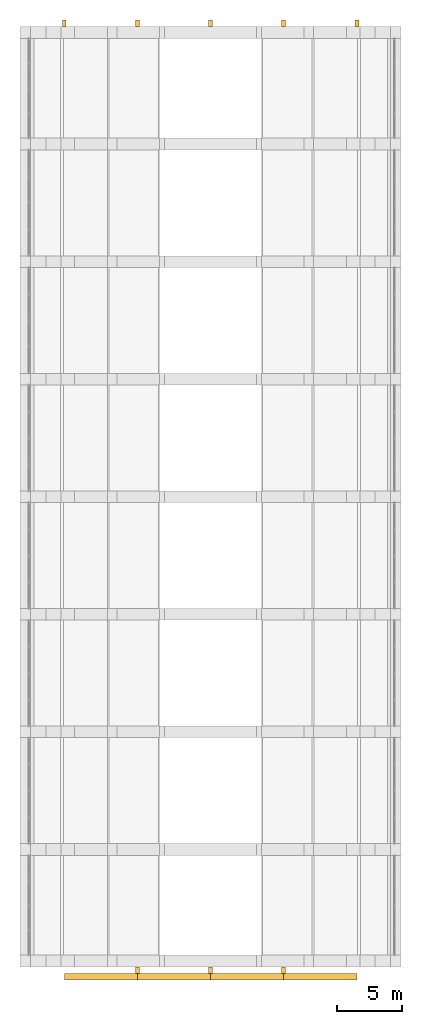
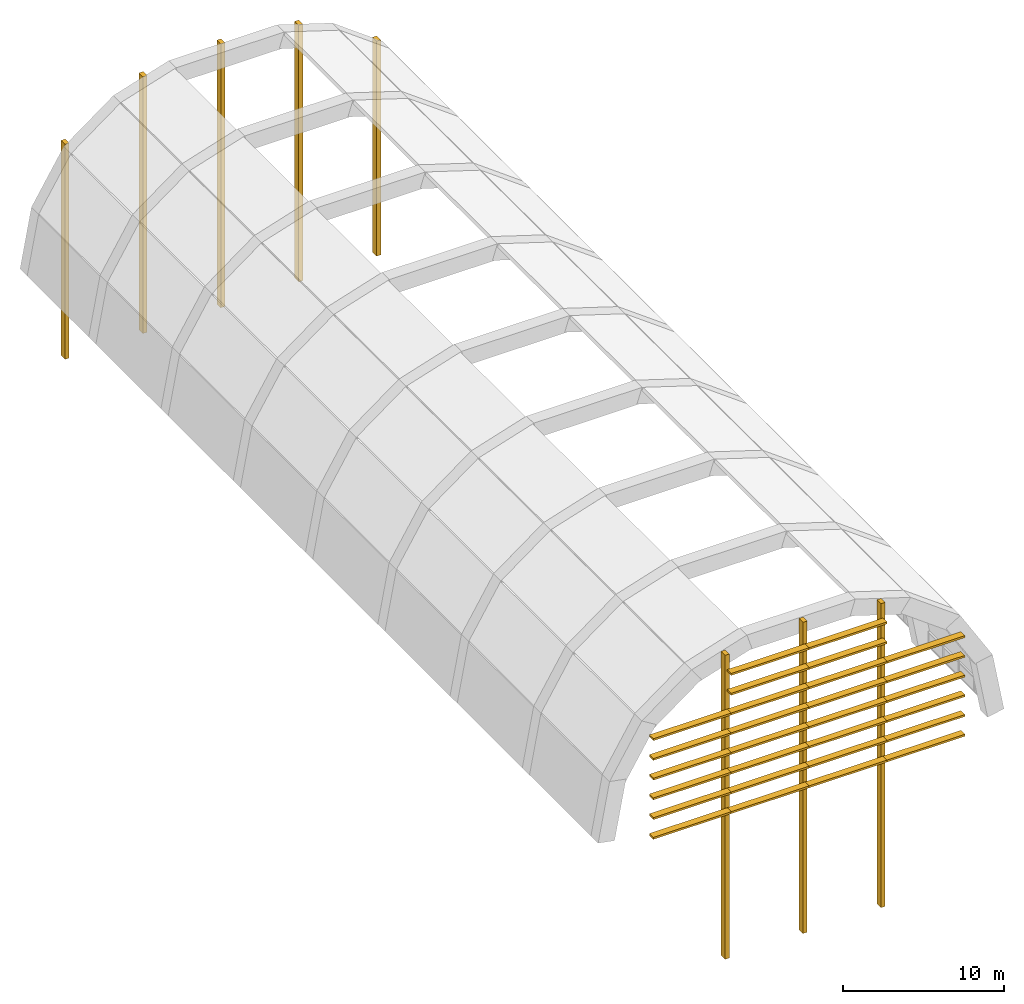
# One storey, part 8 of 8: 36 shading devices.
"""IFC4 building model written with IfcOpenShell, lengths in metres."""

from ifc_helpers import new_model, si_unit, direction, frame, origin, origin_2d, place, context, subcontext, project, spatial, rectangle, extrude, material, layer, layer_set, type_object, element, save


model = new_model("IFC4")

# Units and contexts
model_context = context("Model", 3, precision=1e-05, world=origin(), true_north=direction((0.0, 1.0)))
body_context = subcontext(model_context, "Body", "Model", "MODEL_VIEW")
ifc_project = project(units=[si_unit("LENGTHUNIT", "METRE"), si_unit("AREAUNIT", "SQUARE_METRE"), si_unit("VOLUMEUNIT", "CUBIC_METRE"), si_unit("PLANEANGLEUNIT", "RADIAN"), si_unit("MASSUNIT", "GRAM", prefix="KILO")], contexts=[model_context])

# Site, building, storey
site_placement = place(None, origin())
site = spatial("IfcSite", under=ifc_project, at=site_placement, CompositionType="ELEMENT")
building_placement = place(site_placement, origin())
building = spatial("IfcBuilding", under=site, at=building_placement, Name="Elmora Arch Market Hall", CompositionType="ELEMENT")
storey_placement = place(building_placement, frame((0.0, 0.0, 18.60009765625)))
storey = spatial("IfcBuildingStorey", under=building, at=storey_placement, Name="Roof", CompositionType="ELEMENT", Elevation=18.60009765625)

# Shading devices
ifc_material_1 = material(Name="Concrete C40/50", Category="concrete")
ifc_layer = layer(ifc_material_1, 0.14990234375)
ifc_layer_set = layer_set([ifc_layer], Name="Concrete C40/50")
shading_device_type_1 = type_object("IfcShadingDeviceType", Name="Brise-soleil blade 150 x 500", PredefinedType="USERDEFINED", material=ifc_layer_set)
for number, where, z_axis, x_axis, name in (
    (1, (20.60009765625, 26.25, -0.074951171875), (0.0, 0.0, 1.0), (1.0, 0.0, 0.0), "South gable blade 1.8"),
    (2, (20.60009765625, 26.25, 1.425048828125), (0.0, 0.0, 1.0), (1.0, 0.0, 0.0), "South gable blade 1.9"),
    (3, (20.60009765625, 26.25, 2.925048828125), (0.0, 0.0, 1.0), (1.0, 0.0, 0.0), "South gable blade 1.10"),
    (4, (20.60009765625, 26.25, 4.425048828125), (0.0, 0.0, 1.0), (1.0, 0.0, 0.0), "South gable blade 1.11"),
    (5, (20.60009765625, 26.25, 5.925048828125), (0.0, 0.0, 1.0), (1.0, 0.0, 0.0), "South gable blade 1.12"),
    (6, (20.60009765625, 26.25, 7.425048828125), (0.0, 0.0, 1.0), (1.0, 0.0, 0.0), "South gable blade 1.13"),
    (7, (26.199951171875, 26.25, -0.074951171875), (0.0, 0.0, 1.0), (1.0, 0.0, 0.0), "South gable blade 2.8"),
    (8, (26.199951171875, 26.25, 1.425048828125), (0.0, 0.0, 1.0), (1.0, 0.0, 0.0), "South gable blade 2.9"),
    (9, (26.199951171875, 26.25, 2.925048828125), (0.0, 0.0, 1.0), (1.0, 0.0, 0.0), "South gable blade 2.10"),
    (10, (26.199951171875, 26.25, 4.425048828125), (0.0, 0.0, 1.0), (1.0, 0.0, 0.0), "South gable blade 2.11"),
    (11, (26.199951171875, 26.25, 5.925048828125), (0.0, 0.0, 1.0), (1.0, 0.0, 0.0), "South gable blade 2.12"),
    (12, (26.199951171875, 26.25, 7.425048828125), (0.0, 0.0, 1.0), (1.0, 0.0, 0.0), "South gable blade 2.13"),
    (13, (26.199951171875, 26.25, 8.925048828125), (0.0, 0.0, 1.0), (1.0, 0.0, 0.0), "South gable blade 2.14"),
    (14, (26.199951171875, 26.25, 10.425048828125), (0.0, 0.0, 1.0), (1.0, 0.0, 0.0), "South gable blade 2.15"),
    (15, (31.800048828125, 26.25, -0.074951171875), (0.0, 0.0, 1.0), (1.0, 0.0, 0.0), "South gable blade 3.8"),
    (16, (31.800048828125, 26.25, 1.425048828125), (0.0, 0.0, 1.0), (1.0, 0.0, 0.0), "South gable blade 3.9"),
    (17, (31.800048828125, 26.25, 2.925048828125), (0.0, 0.0, 1.0), (1.0, 0.0, 0.0), "South gable blade 3.10"),
    (18, (31.800048828125, 26.25, 4.425048828125), (0.0, 0.0, 1.0), (1.0, 0.0, 0.0), "South gable blade 3.11"),
    (19, (31.800048828125, 26.25, 5.925048828125), (0.0, 0.0, 1.0), (1.0, 0.0, 0.0), "South gable blade 3.12"),
    (20, (31.800048828125, 26.25, 7.425048828125), (0.0, 0.0, 1.0), (1.0, 0.0, 0.0), "South gable blade 3.13"),
    (21, (31.800048828125, 26.25, 8.925048828125), (0.0, 0.0, 1.0), (1.0, 0.0, 0.0), "South gable blade 3.14"),
    (22, (31.800048828125, 26.25, 10.425048828125), (0.0, 0.0, 1.0), (1.0, 0.0, 0.0), "South gable blade 3.15"),
    (23, (37.39990234375, 26.25, -0.074951171875), (0.0, 0.0, 1.0), (1.0, 0.0, 0.0), "South gable blade 4.8"),
    (24, (37.39990234375, 26.25, 1.425048828125), (0.0, 0.0, 1.0), (1.0, 0.0, 0.0), "South gable blade 4.9"),
    (25, (37.39990234375, 26.25, 2.925048828125), (0.0, 0.0, 1.0), (1.0, 0.0, 0.0), "South gable blade 4.10"),
    (26, (37.39990234375, 26.25, 4.425048828125), (0.0, 0.0, 1.0), (1.0, 0.0, 0.0), "South gable blade 4.11"),
    (27, (37.39990234375, 26.25, 5.925048828125), (0.0, 0.0, 1.0), (1.0, 0.0, 0.0), "South gable blade 4.12"),
    (28, (37.39990234375, 26.25, 7.425048828125), (0.0, 0.0, 1.0), (1.0, 0.0, 0.0), "South gable blade 4.13"),
):
    element("IfcShadingDevice", number, at=place(storey_placement, frame(where, z_axis=z_axis, x_axis=x_axis)), inside=storey, type_object=shading_device_type_1, Name=name, ObjectType="BLADE", PredefinedType="USERDEFINED", context=body_context, shape_type="SweptSolid", body=[
        extrude(rectangle(XDim=5.60009765625, YDim=0.5, at=origin_2d()), origin(), (0.0, 0.0, 1.0), 0.14990234375),
    ])
ifc_material_2 = material(Name="Concrete C40/50", Category="concrete")
shading_device_type_2 = type_object("IfcShadingDeviceType", Name="Gable fin 300 x 500", PredefinedType="USERDEFINED", material=ifc_material_2)
shading_device_1_placement = place(storey_placement, frame((23.39990234375, 26.75, -11.400146484375), z_axis=(0.0, 0.0, 1.0), x_axis=(1.0, 0.0, 0.0)))
element("IfcShadingDevice", 29, at=shading_device_1_placement, inside=storey, type_object=shading_device_type_2, Name="South gable fin 2", ObjectType="FIN", PredefinedType="USERDEFINED", context=body_context, shape_type="SweptSolid", body=[
    extrude(rectangle(XDim=0.300048828125, YDim=0.5, at=origin_2d()), origin(), (0.0, 0.0, 1.0), 23.11083984375),
])
shading_device_2_placement = place(storey_placement, frame((29.0, 26.75, -11.400146484375), z_axis=(0.0, 0.0, 1.0), x_axis=(1.0, 0.0, 0.0)))
element("IfcShadingDevice", 30, at=shading_device_2_placement, inside=storey, type_object=shading_device_type_2, Name="South gable fin 3", ObjectType="FIN", PredefinedType="USERDEFINED", context=body_context, shape_type="SweptSolid", body=[
    extrude(rectangle(XDim=0.300048828125, YDim=0.5, at=origin_2d()), origin(), (0.0, 0.0, 1.0), 23.64990234375),
])
shading_device_3_placement = place(storey_placement, frame((34.60009765625, 26.75, -11.400146484375), z_axis=(0.0, 0.0, 1.0), x_axis=(1.0, 0.0, 0.0)))
element("IfcShadingDevice", 31, at=shading_device_3_placement, inside=storey, type_object=shading_device_type_2, Name="South gable fin 4", ObjectType="FIN", PredefinedType="USERDEFINED", context=body_context, shape_type="SweptSolid", body=[
    extrude(rectangle(XDim=0.300048828125, YDim=0.5, at=origin_2d()), origin(), (0.0, 0.0, 1.0), 23.11083984375),
])
shading_device_4_placement = place(storey_placement, frame((17.800048828125, 99.25, -7.800048828125), z_axis=(0.0, 0.0, 1.0), x_axis=(1.0, 0.0, 0.0)))
element("IfcShadingDevice", 32, at=shading_device_4_placement, inside=storey, type_object=shading_device_type_2, Name="North gable fin 1", ObjectType="FIN", PredefinedType="USERDEFINED", context=body_context, shape_type="SweptSolid", body=[
    extrude(rectangle(XDim=0.300048828125, YDim=0.5, at=origin_2d()), origin(), (0.0, 0.0, 1.0), 16.34765625),
])
shading_device_5_placement = place(storey_placement, frame((23.39990234375, 99.25, -7.800048828125), z_axis=(0.0, 0.0, 1.0), x_axis=(1.0, 0.0, 0.0)))
element("IfcShadingDevice", 33, at=shading_device_5_placement, inside=storey, type_object=shading_device_type_2, Name="North gable fin 2", ObjectType="FIN", PredefinedType="USERDEFINED", context=body_context, shape_type="SweptSolid", body=[
    extrude(rectangle(XDim=0.300048828125, YDim=0.5, at=origin_2d()), origin(), (0.0, 0.0, 1.0), 19.5107421875),
])
shading_device_6_placement = place(storey_placement, frame((29.0, 99.25, -7.80029296875), z_axis=(0.0, 0.0, 1.0), x_axis=(1.0, 0.0, 0.0)))
element("IfcShadingDevice", 34, at=shading_device_6_placement, inside=storey, type_object=shading_device_type_2, Name="North gable fin 3", ObjectType="FIN", PredefinedType="USERDEFINED", context=body_context, shape_type="SweptSolid", body=[
    extrude(rectangle(XDim=0.300048828125, YDim=0.5, at=origin_2d()), origin(), (0.0, 0.0, 1.0), 20.050048828125),
])
shading_device_7_placement = place(storey_placement, frame((34.60009765625, 99.25, -7.800048828125), z_axis=(0.0, 0.0, 1.0), x_axis=(1.0, 0.0, 0.0)))
element("IfcShadingDevice", 35, at=shading_device_7_placement, inside=storey, type_object=shading_device_type_2, Name="North gable fin 4", ObjectType="FIN", PredefinedType="USERDEFINED", context=body_context, shape_type="SweptSolid", body=[
    extrude(rectangle(XDim=0.300048828125, YDim=0.5, at=origin_2d()), origin(), (0.0, 0.0, 1.0), 19.5107421875),
])
shading_device_8_placement = place(storey_placement, frame((40.199951171875, 99.25, -7.800048828125), z_axis=(0.0, 0.0, 1.0), x_axis=(1.0, 0.0, 0.0)))
element("IfcShadingDevice", 36, at=shading_device_8_placement, inside=storey, type_object=shading_device_type_2, Name="North gable fin 5", ObjectType="FIN", PredefinedType="USERDEFINED", context=body_context, shape_type="SweptSolid", body=[
    extrude(rectangle(XDim=0.300048828125, YDim=0.5, at=origin_2d()), origin(), (0.0, 0.0, 1.0), 16.34765625),
])

save(model, "model.ifc")
